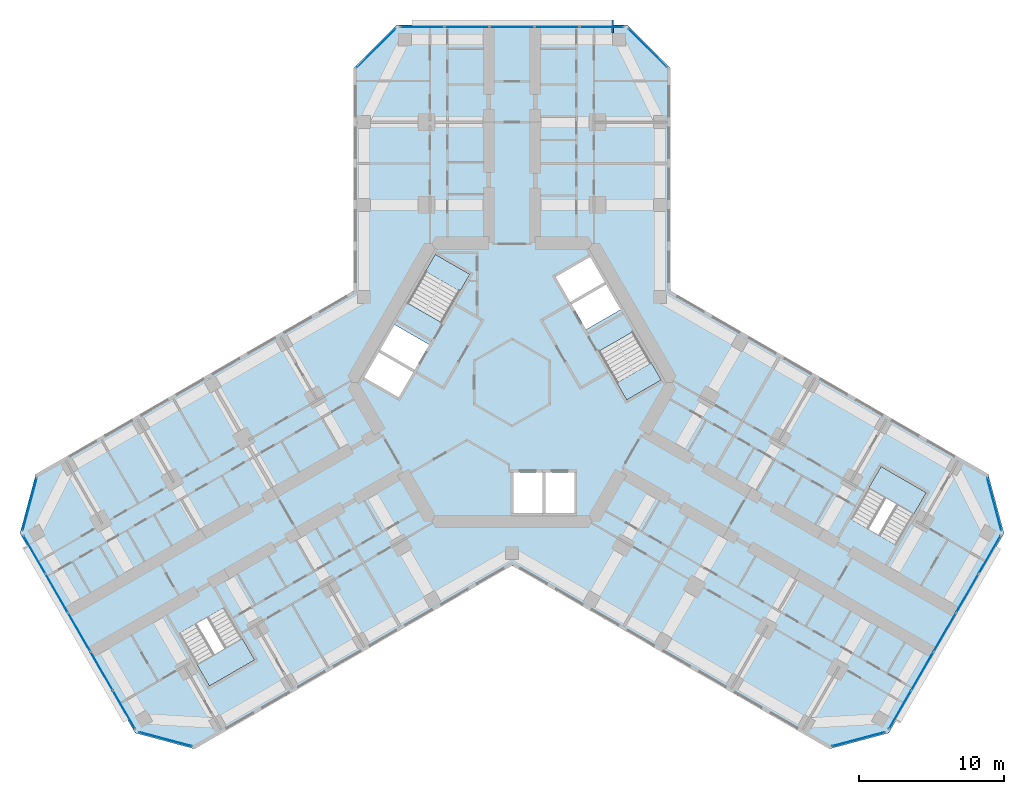
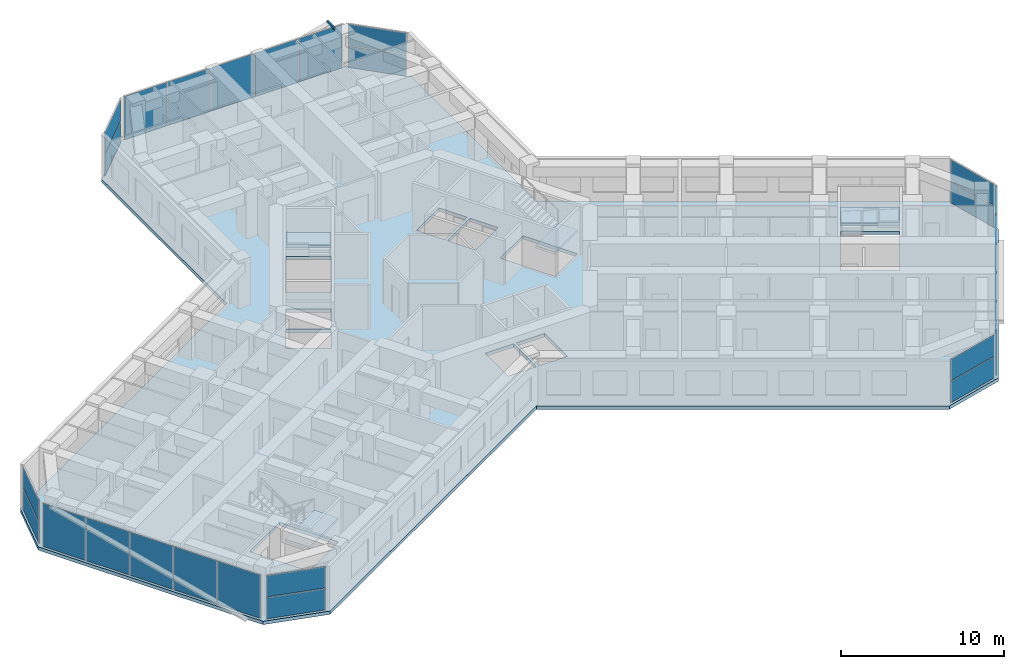
# One storey, part 9 of 19: 27 plates, 5 slabs, 1 member, 13 elements without a shape of their own.
"""IFC4 building model written with IfcOpenShell, lengths in metres."""

from ifc_helpers import new_model, si_unit, direction, frame, origin, origin_2d, place, context, subcontext, project, spatial, polyline, rectangle, hollow_rectangle, outline, extrude, material, layer, layer_set, material_profile, profile_set, type_object, element, aggregate, save


model = new_model("IFC4")

# Units and contexts
model_context = context("Model", 3, precision=1e-05, world=origin(), true_north=direction((0.0, 1.0)))
body_context = subcontext(model_context, "Body", "Model", "MODEL_VIEW")
ifc_project = project(units=[si_unit("LENGTHUNIT", "METRE"), si_unit("AREAUNIT", "SQUARE_METRE"), si_unit("VOLUMEUNIT", "CUBIC_METRE"), si_unit("PLANEANGLEUNIT", "RADIAN"), si_unit("MASSUNIT", "GRAM", prefix="KILO")], contexts=[model_context])

# Site, building, storey
site_placement = place(None, origin())
site = spatial("IfcSite", under=ifc_project, at=site_placement, CompositionType="ELEMENT")
building_placement = place(site_placement, origin())
building = spatial("IfcBuilding", under=site, at=building_placement, Name="Kosmar Iwan School Tower", CompositionType="ELEMENT")
storey_placement = place(building_placement, frame((0.0, 0.0, 149.0)))
storey = spatial("IfcBuildingStorey", under=building, at=storey_placement, Name="L37", CompositionType="ELEMENT", Elevation=149.0)

# Member
ifc_material_1 = material(Name="Steel S355", Category="steel")
ifc_material_profile = material_profile(ifc_material_1, hollow_rectangle(XDim=0.10009765625, YDim=0.199951171875, WallThickness=0.008056640625, at=origin_2d()), Name="RHS 200x100x8")
ifc_profile_set = profile_set([ifc_material_profile], Name="Steel S355")
member_type = type_object("IfcMemberType", Name="Fin bracket RHS 200x100", PredefinedType="USERDEFINED", material=ifc_profile_set)
member_placement = place(storey_placement, frame((6.949951171875, 24.10009765625, 3.47509765625), z_axis=(0.0, 1.0, 0.0), x_axis=(-1.0, 0.0, 0.0)))
element("IfcMember", 1, at=member_placement, inside=storey, type_object=member_type, Name="Fin bracket L38", ObjectType="FIN BRACKET", PredefinedType="USERDEFINED", context=body_context, shape_type="SweptSolid", body=[
    extrude(hollow_rectangle(XDim=0.10009765625, YDim=0.199951171875, WallThickness=0.008056640625, at=origin_2d()), origin(), (0.0, 0.0, 1.0), 0.89990234375),
])

# Curtain wall, plates
ifc_material_2 = material(Name="Dark glass in black aluminium frame", Category="aluminium")
curtain_wall_type_1 = type_object("IfcCurtainWallType", Name="Chamfer curtain wall dark glass", PredefinedType="USERDEFINED", material=ifc_material_2)
curtain_wall_1_placement = place(storey_placement, origin())
curtain_wall_1 = element("IfcCurtainWall", 2, at=curtain_wall_1_placement, inside=storey, type_object=curtain_wall_type_1, Name="Curtain wall L37-F02", ObjectType="FACETED CURTAIN WALL", PredefinedType="USERDEFINED")
ifc_material_3 = material(Name="Dark glass", Category="glass")
ifc_layer_1 = layer(ifc_material_3, 0.028076171875)
ifc_layer_set_1 = layer_set([ifc_layer_1], Name="Dark glass panel 28")
plate_type = type_object("IfcPlateType", Name="Dark glass panel 28", PredefinedType="CURTAIN_PANEL", material=ifc_layer_set_1)
plate_1_placement = place(storey_placement, frame((23.908203125, -24.61328125, 0.06005859375), z_axis=(0.0, 0.0, 1.0), x_axis=(0.965925875495, 0.258818861462, 0.0)))
plate_1 = element("IfcPlate", 3, at=plate_1_placement, type_object=plate_type, Name="CW2 panel 1.1", PredefinedType="CURTAIN_PANEL", context=body_context, shape_type="SweptSolid", body=[
    extrude(rectangle(XDim=3.718994140625, YDim=0.028076171875, at=origin_2d()), origin(), (0.0, 0.0, 1.0), 1.5849609375),
])
plate_2_placement = place(storey_placement, frame((23.908203125, -24.61328125, 1.705078125), z_axis=(0.0, 0.0, 1.0), x_axis=(0.965925875495, 0.258818861462, 0.0)))
plate_2 = element("IfcPlate", 4, at=plate_2_placement, type_object=plate_type, Name="CW2 panel 1.2", PredefinedType="CURTAIN_PANEL", context=body_context, shape_type="SweptSolid", body=[
    extrude(rectangle(XDim=3.718994140625, YDim=0.028076171875, at=origin_2d()), origin(), (0.0, 0.0, 1.0), 1.5849609375),
])
aggregate(curtain_wall_1, [plate_1, plate_2])

ifc_material_4 = material(Name="Dark glass in black aluminium frame", Category="aluminium")
curtain_wall_type_2 = type_object("IfcCurtainWallType", Name="Tower curtain wall dark glass", PredefinedType="USERDEFINED", material=ifc_material_4)
curtain_wall_2_placement = place(storey_placement, origin())
curtain_wall_2 = element("IfcCurtainWall", 5, at=curtain_wall_2_placement, inside=storey, type_object=curtain_wall_type_2, Name="Curtain wall L37-F03", ObjectType="UNITISED CURTAIN WALL", PredefinedType="USERDEFINED")
plate_3_placement = place(storey_placement, frame((26.764404296875, -22.592529296875, 0.06005859375), z_axis=(0.0, 0.0, 1.0), x_axis=(0.499999997325, 0.866025405329, 0.0)))
plate_3 = element("IfcPlate", 6, at=plate_3_placement, type_object=plate_type, Name="CW1 panel 1.1", PredefinedType="CURTAIN_PANEL", context=body_context, shape_type="SweptSolid", body=[
    extrude(rectangle(XDim=3.00927734375, YDim=0.028076171875, at=origin_2d()), origin(), (0.0, 0.0, 1.0), 3.22998046875),
])
plate_4_placement = place(storey_placement, frame((28.306640625, -19.921630859375, 0.06005859375), z_axis=(0.0, 0.0, 1.0), x_axis=(0.499999997325, 0.866025405329, 0.0)))
plate_4 = element("IfcPlate", 7, at=plate_4_placement, type_object=plate_type, Name="CW1 panel 2.1", PredefinedType="CURTAIN_PANEL", context=body_context, shape_type="SweptSolid", body=[
    extrude(rectangle(XDim=3.039306640625, YDim=0.028076171875, at=origin_2d()), origin(), (0.0, 0.0, 1.0), 3.22998046875),
])
plate_5_placement = place(storey_placement, frame((29.856201171875, -17.237548828125, 0.06005859375), z_axis=(0.0, 0.0, 1.0), x_axis=(0.499999997325, 0.866025405329, 0.0)))
plate_5 = element("IfcPlate", 8, at=plate_5_placement, type_object=plate_type, Name="CW1 panel 3.1", PredefinedType="CURTAIN_PANEL", context=body_context, shape_type="SweptSolid", body=[
    extrude(rectangle(XDim=3.039306640625, YDim=0.028076171875, at=origin_2d()), origin(), (0.0, 0.0, 1.0), 3.22998046875),
])
plate_6_placement = place(storey_placement, frame((31.40576171875, -14.553466796875, 0.06005859375), z_axis=(0.0, 0.0, 1.0), x_axis=(0.499999997325, 0.866025405329, 0.0)))
plate_6 = element("IfcPlate", 9, at=plate_6_placement, type_object=plate_type, Name="CW1 panel 4.1", PredefinedType="CURTAIN_PANEL", context=body_context, shape_type="SweptSolid", body=[
    extrude(rectangle(XDim=3.039306640625, YDim=0.028076171875, at=origin_2d()), origin(), (0.0, 0.0, 1.0), 3.22998046875),
])
plate_7_placement = place(storey_placement, frame((32.947998046875, -11.88232421875, 0.06005859375), z_axis=(0.0, 0.0, 1.0), x_axis=(0.499999997325, 0.866025405329, 0.0)))
plate_7 = element("IfcPlate", 10, at=plate_7_placement, type_object=plate_type, Name="CW1 panel 5.1", PredefinedType="CURTAIN_PANEL", context=body_context, shape_type="SweptSolid", body=[
    extrude(rectangle(XDim=3.00927734375, YDim=0.028076171875, at=origin_2d()), origin(), (0.0, 0.0, 1.0), 3.22998046875),
])
aggregate(curtain_wall_2, [plate_3, plate_4, plate_5, plate_6, plate_7])

curtain_wall_3_placement = place(storey_placement, origin())
curtain_wall_3 = element("IfcCurtainWall", 11, at=curtain_wall_3_placement, inside=storey, type_object=curtain_wall_type_1, Name="Curtain wall L37-F04", ObjectType="FACETED CURTAIN WALL", PredefinedType="USERDEFINED")
plate_8_placement = place(storey_placement, frame((33.269775390625, -8.3984375, 0.06005859375), z_axis=(0.0, 0.0, 1.0), x_axis=(-0.258818861462, 0.965925875495, 0.0)))
plate_8 = element("IfcPlate", 12, at=plate_8_placement, type_object=plate_type, Name="CW2 panel 1.1", PredefinedType="CURTAIN_PANEL", context=body_context, shape_type="SweptSolid", body=[
    extrude(rectangle(XDim=3.718994140625, YDim=0.028076171875, at=origin_2d()), origin(), (0.0, 0.0, 1.0), 1.5849609375),
])
plate_9_placement = place(storey_placement, frame((33.269775390625, -8.3984375, 1.705078125), z_axis=(0.0, 0.0, 1.0), x_axis=(-0.258818861462, 0.965925875495, 0.0)))
plate_9 = element("IfcPlate", 13, at=plate_9_placement, type_object=plate_type, Name="CW2 panel 1.2", PredefinedType="CURTAIN_PANEL", context=body_context, shape_type="SweptSolid", body=[
    extrude(rectangle(XDim=3.718994140625, YDim=0.028076171875, at=origin_2d()), origin(), (0.0, 0.0, 1.0), 1.5849609375),
])
aggregate(curtain_wall_3, [plate_8, plate_9])

curtain_wall_4_placement = place(storey_placement, origin())
curtain_wall_4 = element("IfcCurtainWall", 14, at=curtain_wall_4_placement, inside=storey, type_object=curtain_wall_type_1, Name="Curtain wall L37-F07", ObjectType="FACETED CURTAIN WALL", PredefinedType="USERDEFINED")
plate_10_placement = place(storey_placement, frame((9.361572265625, 23.0615234375, 0.06005859375), z_axis=(0.0, 0.0, 1.0), x_axis=(-0.707106781187, 0.707106781187, 0.0)))
plate_10 = element("IfcPlate", 15, at=plate_10_placement, type_object=plate_type, Name="CW2 panel 1.1", PredefinedType="CURTAIN_PANEL", context=body_context, shape_type="SweptSolid", body=[
    extrude(rectangle(XDim=3.718994140625, YDim=0.028076171875, at=origin_2d()), origin(), (0.0, 0.0, 1.0), 1.5849609375),
])
plate_11_placement = place(storey_placement, frame((9.361572265625, 23.0615234375, 1.705078125), z_axis=(0.0, 0.0, 1.0), x_axis=(-0.707106781187, 0.707106781187, 0.0)))
plate_11 = element("IfcPlate", 16, at=plate_11_placement, type_object=plate_type, Name="CW2 panel 1.2", PredefinedType="CURTAIN_PANEL", context=body_context, shape_type="SweptSolid", body=[
    extrude(rectangle(XDim=3.718994140625, YDim=0.028076171875, at=origin_2d()), origin(), (0.0, 0.0, 1.0), 1.5849609375),
])
aggregate(curtain_wall_4, [plate_10, plate_11])

curtain_wall_5_placement = place(storey_placement, origin())
curtain_wall_5 = element("IfcCurtainWall", 17, at=curtain_wall_5_placement, inside=storey, type_object=curtain_wall_type_2, Name="Curtain wall L37-F08", ObjectType="UNITISED CURTAIN WALL", PredefinedType="USERDEFINED")
plate_12_placement = place(storey_placement, frame((6.18359375, 24.52490234375, 0.06005859375), z_axis=(0.0, 0.0, 1.0), x_axis=(-1.0, 0.0, 0.0)))
plate_12 = element("IfcPlate", 18, at=plate_12_placement, type_object=plate_type, Name="CW1 panel 1.1", PredefinedType="CURTAIN_PANEL", context=body_context, shape_type="SweptSolid", body=[
    extrude(rectangle(XDim=3.00927734375, YDim=0.028076171875, at=origin_2d()), origin(), (0.0, 0.0, 1.0), 3.22998046875),
])
plate_13_placement = place(storey_placement, frame((3.099365234375, 24.52490234375, 0.06005859375), z_axis=(0.0, 0.0, 1.0), x_axis=(-1.0, 0.0, 0.0)))
plate_13 = element("IfcPlate", 19, at=plate_13_placement, type_object=plate_type, Name="CW1 panel 2.1", PredefinedType="CURTAIN_PANEL", context=body_context, shape_type="SweptSolid", body=[
    extrude(rectangle(XDim=3.039306640625, YDim=0.028076171875, at=origin_2d()), origin(), (0.0, 0.0, 1.0), 3.22998046875),
])
plate_14_placement = place(storey_placement, frame((0.0, 24.52490234375, 0.06005859375), z_axis=(0.0, 0.0, 1.0), x_axis=(-1.0, 0.0, 0.0)))
plate_14 = element("IfcPlate", 20, at=plate_14_placement, type_object=plate_type, Name="CW1 panel 3.1", PredefinedType="CURTAIN_PANEL", context=body_context, shape_type="SweptSolid", body=[
    extrude(rectangle(XDim=3.039306640625, YDim=0.028076171875, at=origin_2d()), origin(), (0.0, 0.0, 1.0), 3.22998046875),
])
plate_15_placement = place(storey_placement, frame((-3.099365234375, 24.52490234375, 0.06005859375), z_axis=(0.0, 0.0, 1.0), x_axis=(-1.0, 0.0, 0.0)))
plate_15 = element("IfcPlate", 21, at=plate_15_placement, type_object=plate_type, Name="CW1 panel 4.1", PredefinedType="CURTAIN_PANEL", context=body_context, shape_type="SweptSolid", body=[
    extrude(rectangle(XDim=3.039306640625, YDim=0.028076171875, at=origin_2d()), origin(), (0.0, 0.0, 1.0), 3.22998046875),
])
plate_16_placement = place(storey_placement, frame((-6.18359375, 24.52490234375, 0.06005859375), z_axis=(0.0, 0.0, 1.0), x_axis=(-1.0, 0.0, 0.0)))
plate_16 = element("IfcPlate", 22, at=plate_16_placement, type_object=plate_type, Name="CW1 panel 5.1", PredefinedType="CURTAIN_PANEL", context=body_context, shape_type="SweptSolid", body=[
    extrude(rectangle(XDim=3.00927734375, YDim=0.028076171875, at=origin_2d()), origin(), (0.0, 0.0, 1.0), 3.22998046875),
])
aggregate(curtain_wall_5, [plate_12, plate_13, plate_14, plate_15, plate_16])

curtain_wall_6_placement = place(storey_placement, origin())
curtain_wall_6 = element("IfcCurtainWall", 23, at=curtain_wall_6_placement, inside=storey, type_object=curtain_wall_type_1, Name="Curtain wall L37-F09", ObjectType="FACETED CURTAIN WALL", PredefinedType="USERDEFINED")
plate_17_placement = place(storey_placement, frame((-9.361572265625, 23.0615234375, 0.06005859375), z_axis=(0.0, 0.0, 1.0), x_axis=(-0.707106781187, -0.707106781187, 0.0)))
plate_17 = element("IfcPlate", 24, at=plate_17_placement, type_object=plate_type, Name="CW2 panel 1.1", PredefinedType="CURTAIN_PANEL", context=body_context, shape_type="SweptSolid", body=[
    extrude(rectangle(XDim=3.718994140625, YDim=0.028076171875, at=origin_2d()), origin(), (0.0, 0.0, 1.0), 1.5849609375),
])
plate_18_placement = place(storey_placement, frame((-9.361572265625, 23.0615234375, 1.705078125), z_axis=(0.0, 0.0, 1.0), x_axis=(-0.707106781187, -0.707106781187, 0.0)))
plate_18 = element("IfcPlate", 25, at=plate_18_placement, type_object=plate_type, Name="CW2 panel 1.2", PredefinedType="CURTAIN_PANEL", context=body_context, shape_type="SweptSolid", body=[
    extrude(rectangle(XDim=3.718994140625, YDim=0.028076171875, at=origin_2d()), origin(), (0.0, 0.0, 1.0), 1.5849609375),
])
aggregate(curtain_wall_6, [plate_17, plate_18])

curtain_wall_7_placement = place(storey_placement, origin())
curtain_wall_7 = element("IfcCurtainWall", 26, at=curtain_wall_7_placement, inside=storey, type_object=curtain_wall_type_1, Name="Curtain wall L37-F12", ObjectType="FACETED CURTAIN WALL", PredefinedType="USERDEFINED")
plate_19_placement = place(storey_placement, frame((-33.269775390625, -8.3984375, 0.06005859375), z_axis=(0.0, 0.0, 1.0), x_axis=(-0.258818861462, -0.965925875495, 0.0)))
plate_19 = element("IfcPlate", 27, at=plate_19_placement, type_object=plate_type, Name="CW2 panel 1.1", PredefinedType="CURTAIN_PANEL", context=body_context, shape_type="SweptSolid", body=[
    extrude(rectangle(XDim=3.718994140625, YDim=0.028076171875, at=origin_2d()), origin(), (0.0, 0.0, 1.0), 1.5849609375),
])
plate_20_placement = place(storey_placement, frame((-33.269775390625, -8.3984375, 1.705078125), z_axis=(0.0, 0.0, 1.0), x_axis=(-0.258818861462, -0.965925875495, 0.0)))
plate_20 = element("IfcPlate", 28, at=plate_20_placement, type_object=plate_type, Name="CW2 panel 1.2", PredefinedType="CURTAIN_PANEL", context=body_context, shape_type="SweptSolid", body=[
    extrude(rectangle(XDim=3.718994140625, YDim=0.028076171875, at=origin_2d()), origin(), (0.0, 0.0, 1.0), 1.5849609375),
])
aggregate(curtain_wall_7, [plate_19, plate_20])

curtain_wall_8_placement = place(storey_placement, origin())
curtain_wall_8 = element("IfcCurtainWall", 29, at=curtain_wall_8_placement, inside=storey, type_object=curtain_wall_type_2, Name="Curtain wall L37-F13", ObjectType="UNITISED CURTAIN WALL", PredefinedType="USERDEFINED")
plate_21_placement = place(storey_placement, frame((-32.947998046875, -11.88232421875, 0.06005859375), z_axis=(0.0, 0.0, 1.0), x_axis=(0.499999997325, -0.866025405329, 0.0)))
plate_21 = element("IfcPlate", 30, at=plate_21_placement, type_object=plate_type, Name="CW1 panel 1.1", PredefinedType="CURTAIN_PANEL", context=body_context, shape_type="SweptSolid", body=[
    extrude(rectangle(XDim=3.00927734375, YDim=0.028076171875, at=origin_2d()), origin(), (0.0, 0.0, 1.0), 3.22998046875),
])
plate_22_placement = place(storey_placement, frame((-31.40576171875, -14.553466796875, 0.06005859375), z_axis=(0.0, 0.0, 1.0), x_axis=(0.499999997325, -0.866025405329, 0.0)))
plate_22 = element("IfcPlate", 31, at=plate_22_placement, type_object=plate_type, Name="CW1 panel 2.1", PredefinedType="CURTAIN_PANEL", context=body_context, shape_type="SweptSolid", body=[
    extrude(rectangle(XDim=3.039306640625, YDim=0.028076171875, at=origin_2d()), origin(), (0.0, 0.0, 1.0), 3.22998046875),
])
plate_23_placement = place(storey_placement, frame((-29.856201171875, -17.237548828125, 0.06005859375), z_axis=(0.0, 0.0, 1.0), x_axis=(0.499999997325, -0.866025405329, 0.0)))
plate_23 = element("IfcPlate", 32, at=plate_23_placement, type_object=plate_type, Name="CW1 panel 3.1", PredefinedType="CURTAIN_PANEL", context=body_context, shape_type="SweptSolid", body=[
    extrude(rectangle(XDim=3.039306640625, YDim=0.028076171875, at=origin_2d()), origin(), (0.0, 0.0, 1.0), 3.22998046875),
])
plate_24_placement = place(storey_placement, frame((-28.306640625, -19.921630859375, 0.06005859375), z_axis=(0.0, 0.0, 1.0), x_axis=(0.499999997325, -0.866025405329, 0.0)))
plate_24 = element("IfcPlate", 33, at=plate_24_placement, type_object=plate_type, Name="CW1 panel 4.1", PredefinedType="CURTAIN_PANEL", context=body_context, shape_type="SweptSolid", body=[
    extrude(rectangle(XDim=3.039306640625, YDim=0.028076171875, at=origin_2d()), origin(), (0.0, 0.0, 1.0), 3.22998046875),
])
plate_25_placement = place(storey_placement, frame((-26.764404296875, -22.592529296875, 0.06005859375), z_axis=(0.0, 0.0, 1.0), x_axis=(0.499999997325, -0.866025405329, 0.0)))
plate_25 = element("IfcPlate", 34, at=plate_25_placement, type_object=plate_type, Name="CW1 panel 5.1", PredefinedType="CURTAIN_PANEL", context=body_context, shape_type="SweptSolid", body=[
    extrude(rectangle(XDim=3.00927734375, YDim=0.028076171875, at=origin_2d()), origin(), (0.0, 0.0, 1.0), 3.22998046875),
])
aggregate(curtain_wall_8, [plate_21, plate_22, plate_23, plate_24, plate_25])

curtain_wall_9_placement = place(storey_placement, origin())
curtain_wall_9 = element("IfcCurtainWall", 35, at=curtain_wall_9_placement, inside=storey, type_object=curtain_wall_type_1, Name="Curtain wall L37-F14", ObjectType="FACETED CURTAIN WALL", PredefinedType="USERDEFINED")
plate_26_placement = place(storey_placement, frame((-23.908203125, -24.61328125, 0.06005859375), z_axis=(0.0, 0.0, 1.0), x_axis=(0.965925875495, -0.258818861462, 0.0)))
plate_26 = element("IfcPlate", 36, at=plate_26_placement, type_object=plate_type, Name="CW2 panel 1.1", PredefinedType="CURTAIN_PANEL", context=body_context, shape_type="SweptSolid", body=[
    extrude(rectangle(XDim=3.718994140625, YDim=0.028076171875, at=origin_2d()), origin(), (0.0, 0.0, 1.0), 1.5849609375),
])
plate_27_placement = place(storey_placement, frame((-23.908203125, -24.61328125, 1.705078125), z_axis=(0.0, 0.0, 1.0), x_axis=(0.965925875495, -0.258818861462, 0.0)))
plate_27 = element("IfcPlate", 37, at=plate_27_placement, type_object=plate_type, Name="CW2 panel 1.2", PredefinedType="CURTAIN_PANEL", context=body_context, shape_type="SweptSolid", body=[
    extrude(rectangle(XDim=3.718994140625, YDim=0.028076171875, at=origin_2d()), origin(), (0.0, 0.0, 1.0), 1.5849609375),
])
aggregate(curtain_wall_9, [plate_26, plate_27])

# Stair, slab
ifc_material_5 = material(Name="Concrete C35/45", Category="concrete")
stair_type_1 = type_object("IfcStairType", Name="Escape stair 3600", PredefinedType="HALF_TURN_STAIR", material=ifc_material_5)
stair_1_placement = place(storey_placement, origin())
stair_1 = element("IfcStair", 38, at=stair_1_placement, inside=storey, type_object=stair_type_1, Name="Stair WS2 L37", PredefinedType="HALF_TURN_STAIR")
ifc_material_6 = material(Name="Concrete C35/45", Category="concrete")
ifc_layer_2 = layer(ifc_material_6, 0.199951171875)
ifc_layer_set_2 = layer_set([ifc_layer_2], Name="Escape stair landing 200")
slab_type_1 = type_object("IfcSlabType", Name="Escape stair landing 200", PredefinedType="LANDING", material=ifc_layer_set_2)
slab_1_placement = place(storey_placement, frame((0.0, 0.0, 1.60009765625)))
slab_1 = element("IfcSlab", 39, at=slab_1_placement, type_object=slab_type_1, Name="WS2 landing 1", PredefinedType="LANDING", context=body_context, shape_type="SweptSolid", body=[
    extrude(outline(polyline([(-18.607421875, -17.671142578125), (-21.72509765625, -19.47119140625), (-20.875, -20.943359375), (-17.75732421875, -19.143310546875), (-18.607421875, -17.671142578125)])), origin(), (0.0, 0.0, 1.0), 0.199951171875),
])
aggregate(stair_1, [slab_1])

stair_2_placement = place(storey_placement, origin())
stair_2 = element("IfcStair", 40, at=stair_2_placement, inside=storey, type_object=stair_type_1, Name="Stair WS3 L37", PredefinedType="HALF_TURN_STAIR")
slab_2_placement = place(storey_placement, frame((0.0, 0.0, 1.60009765625)))
slab_2 = element("IfcSlab", 41, at=slab_2_placement, type_object=slab_type_1, Name="WS3 landing 1", PredefinedType="LANDING", context=body_context, shape_type="SweptSolid", body=[
    extrude(outline(polyline([(24.607421875, -7.27880859375), (27.72509765625, -9.078857421875), (28.574951171875, -7.606689453125), (25.457275390625, -5.806640625), (24.607421875, -7.27880859375)])), origin(), (0.0, 0.0, 1.0), 0.199951171875),
])
aggregate(stair_2, [slab_2])

# Slab
ifc_material_7 = material(Name="Concrete C35/45", Category="concrete")
ifc_layer_3 = layer(ifc_material_7, 0.25)
ifc_layer_set_3 = layer_set([ifc_layer_3], Name="Floor slab 250")
slab_type_2 = type_object("IfcSlabType", Name="Floor slab 250", PredefinedType="FLOOR", material=ifc_layer_set_3)
slab_3_placement = place(storey_placement, frame((0.0, 0.0, -0.25)))
element("IfcSlab", 42, at=slab_3_placement, inside=storey, type_object=slab_type_2, Name="L37 floor slab", PredefinedType="FLOOR", context=body_context, shape_type="SweptSolid", body=[
    extrude(outline(polyline([(-21.891357421875, -25.282958984375), (0.0, -12.64404296875), (21.891357421875, -25.282958984375), (25.989501953125, -24.184814453125), (33.939453125, -10.4150390625), (32.84130859375, -6.317138671875), (10.949951171875, 6.322021484375), (10.949951171875, 21.64990234375), (7.949951171875, 24.64990234375), (-7.949951171875, 24.64990234375), (-10.949951171875, 21.64990234375), (-10.949951171875, 6.322021484375), (-32.84130859375, -6.317138671875), (-33.939453125, -10.4150390625), (-25.989501953125, -24.184814453125), (-21.891357421875, -25.282958984375)]), holes=[polyline([(7.91259765625, -1.205078125), (10.294189453125, 0.169921875), (8.3642578125, 3.5126953125), (5.982666015625, 2.1376953125), (7.91259765625, -1.205078125)]), polyline([(-2.91259765625, 7.455078125), (-5.294189453125, 8.830078125), (-7.22412109375, 5.4873046875), (-4.8427734375, 4.1123046875), (-2.91259765625, 7.455078125)]), polyline([(-5.712646484375, 2.60546875), (-8.09423828125, 3.98046875), (-9.09423828125, 2.248291015625), (-6.712646484375, 0.873291015625), (-5.712646484375, 2.60546875)]), polyline([(-6.812744140625, 0.7001953125), (-9.1943359375, 2.0751953125), (-10.1943359375, 0.343017578125), (-7.812744140625, -1.031982421875), (-6.812744140625, 0.7001953125)]), polyline([(5.112548828125, 3.64453125), (7.494140625, 5.01953125), (6.494140625, 6.751708984375), (4.112548828125, 5.376708984375), (5.112548828125, 3.64453125)]), polyline([(4.0126953125, 5.5498046875), (6.394287109375, 6.9248046875), (5.394287109375, 8.656982421875), (3.0126953125, 7.281982421875), (4.0126953125, 5.5498046875)]), polyline([(0.10009765625, -6.199951171875), (0.10009765625, -9.0), (2.10009765625, -9.0), (2.10009765625, -6.199951171875), (0.10009765625, -6.199951171875)]), polyline([(2.300048828125, -6.199951171875), (2.300048828125, -9.0), (4.300048828125, -9.0), (4.300048828125, -6.199951171875), (2.300048828125, -6.199951171875)]), polyline([(-19.847412109375, -15.5234375), (-22.965087890625, -17.323486328125), (-20.875, -20.943359375), (-17.75732421875, -19.143310546875), (-19.847412109375, -15.5234375)]), polyline([(23.367431640625, -9.426513671875), (26.485107421875, -11.2265625), (28.574951171875, -7.606689453125), (25.457275390625, -5.806640625), (23.367431640625, -9.426513671875)])]), origin(), (0.0, 0.0, 1.0), 0.25),
])

# Stair, slab
ifc_material_8 = material(Name="Concrete C35/45", Category="concrete")
stair_type_2 = type_object("IfcStairType", Name="Core stair 2750", PredefinedType="HALF_TURN_STAIR", material=ifc_material_8)
stair_3_placement = place(storey_placement, origin())
stair_3 = element("IfcStair", 43, at=stair_3_placement, inside=storey, type_object=stair_type_2, Name="Stair ST2 L37", PredefinedType="HALF_TURN_STAIR")
ifc_material_9 = material(Name="Concrete C35/45", Category="concrete")
ifc_layer_4 = layer(ifc_material_9, 0.199951171875)
ifc_layer_set_4 = layer_set([ifc_layer_4], Name="Stair landing 200")
slab_type_3 = type_object("IfcSlabType", Name="Stair landing 200", PredefinedType="LANDING", material=ifc_layer_set_4)
slab_4_placement = place(storey_placement, frame((0.0, 0.0, 1.60009765625)))
slab_4 = element("IfcSlab", 44, at=slab_4_placement, type_object=slab_type_3, Name="ST2 landing 1", PredefinedType="LANDING", context=body_context, shape_type="SweptSolid", body=[
    extrude(outline(polyline([(-2.91259765625, 7.455078125), (-5.294189453125, 8.830078125), (-5.97412109375, 7.65234375), (-3.5927734375, 6.27734375), (-2.91259765625, 7.455078125)])), origin(), (0.0, 0.0, 1.0), 0.199951171875),
])
aggregate(stair_3, [slab_4])

stair_4_placement = place(storey_placement, origin())
stair_4 = element("IfcStair", 45, at=stair_4_placement, inside=storey, type_object=stair_type_2, Name="Stair ST1 L37", PredefinedType="HALF_TURN_STAIR")
slab_5_placement = place(storey_placement, frame((0.0, 0.0, 1.60009765625)))
slab_5 = element("IfcSlab", 46, at=slab_5_placement, type_object=slab_type_3, Name="ST1 landing 1", PredefinedType="LANDING", context=body_context, shape_type="SweptSolid", body=[
    extrude(outline(polyline([(7.91259765625, -1.205078125), (10.294189453125, 0.169921875), (9.6142578125, 1.34765625), (7.232666015625, -0.02734375), (7.91259765625, -1.205078125)])), origin(), (0.0, 0.0, 1.0), 0.199951171875),
])
aggregate(stair_4, [slab_5])

save(model, "model.ifc")
